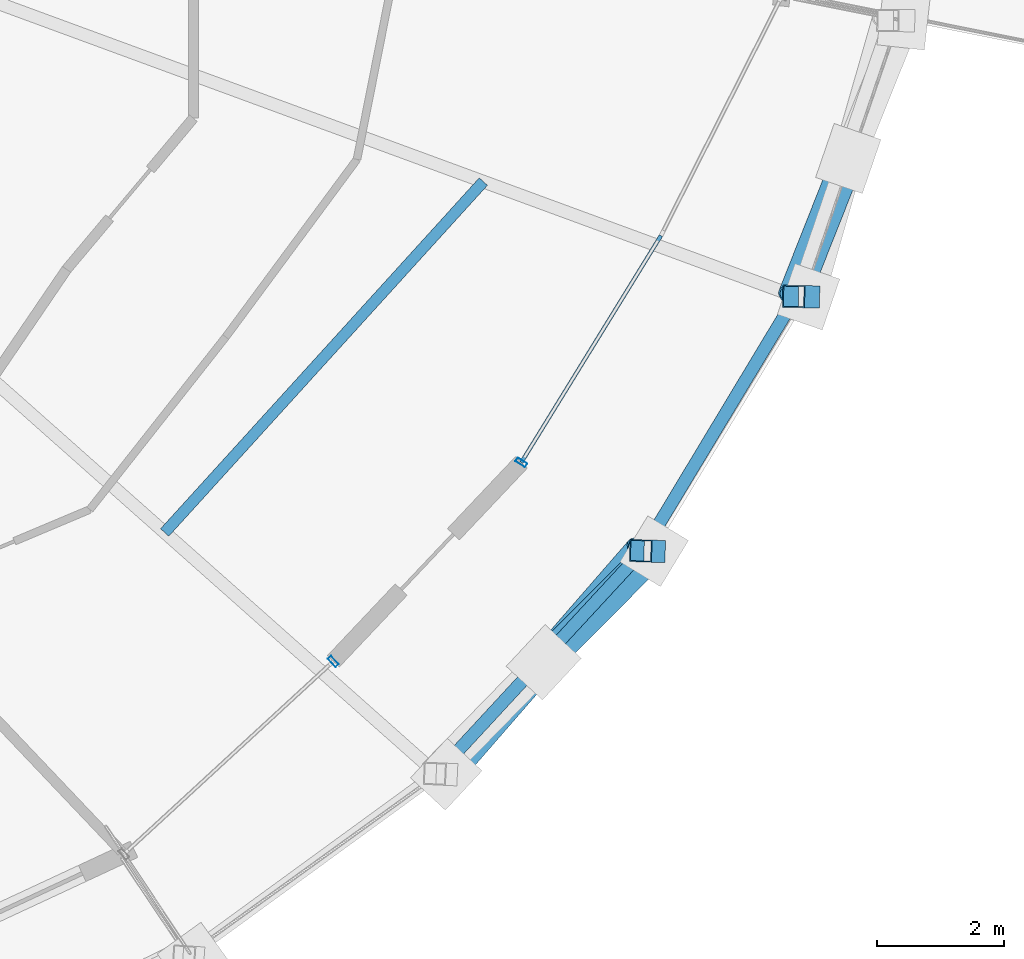
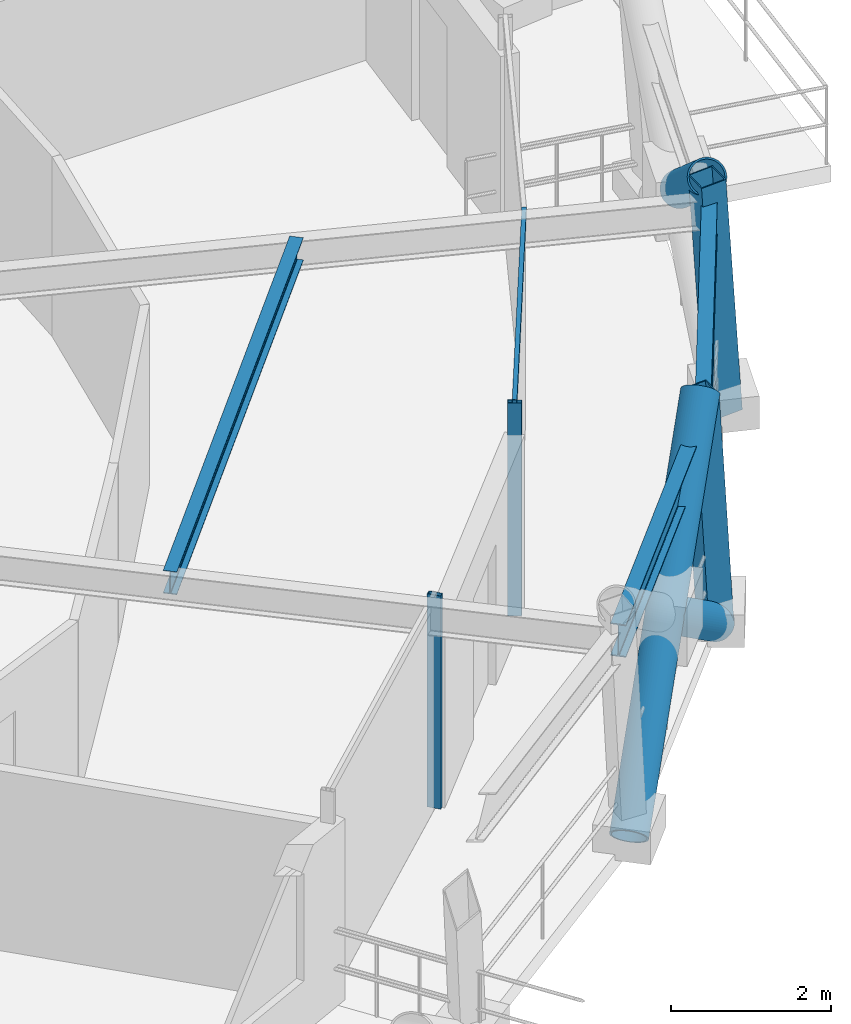
# One storey, part 4 of 14: 8 members, 3 beams, 2 elements without a shape of their own.
"""IFC4 building model written with IfcOpenShell, lengths in metres."""

import ifcopenshell
import ifcopenshell.guid

model = None  # the IFC model being written
_history = None  # IfcOwnerHistory: only IFC2X3 demands one
_inside = {}  # id of a spatial element -> (the spatial element, [elements in it])
_under = {}  # id of a project, library or spatial element -> (it, [spatial elements below it])
_declared = {}  # id of a project -> (the project, [libraries it declares])
_typed = {}  # id of a type object -> (the type object, [elements of that type])
_made_of = {}  # id of a material, layer set ... -> (it, [elements and type objects made of it])


def new_model(schema):
    """Start an empty IFC model of exactly this schema.

    Asked for "IFC4X3", IfcOpenShell would pick the latest addendum, in which some entities
    have other attributes; the version numbers below select the first issue.
    IFC2X3 requires an IfcOwnerHistory on every rooted entity: one is made here for all.
    """
    global model, _history
    if schema == "IFC4X3":
        model = ifcopenshell.file(schema_version=(4, 3, 0, 0))
    else:
        model = ifcopenshell.file(schema=schema)
    _inside.clear()
    _under.clear()
    _declared.clear()
    _typed.clear()
    _made_of.clear()
    _history = None
    if model.schema == "IFC2X3":
        org = make("IfcOrganization", Name="unknown")
        user = make(
            "IfcPersonAndOrganization",
            ThePerson=make("IfcPerson", FamilyName="unknown"),
            TheOrganization=org,
        )
        app = make(
            "IfcApplication",
            ApplicationDeveloper=org,
            Version="unknown",
            ApplicationFullName="unknown",
            ApplicationIdentifier="unknown",
        )
        _history = make(
            "IfcOwnerHistory",
            OwningUser=user,
            OwningApplication=app,
            ChangeAction="ADDED",
            CreationDate=0,
        )
    return model


def make(cls, **values):
    """One entity of the class cls with the attributes given. An attribute that is None is left unset."""
    return model.create_entity(
        cls, **{name: value for name, value in values.items() if value is not None}
    )


def rooted(cls, **values):
    """An entity with a GlobalId (a new one), such as an element, a storey or a relation."""
    return make(cls, GlobalId=ifcopenshell.guid.new(), OwnerHistory=_history, **values)


def si_unit(unit_type, name, prefix=None):
    """IfcSIUnit, for example si_unit("LENGTHUNIT", "METRE", prefix="MILLI")."""
    return make("IfcSIUnit", UnitType=unit_type, Prefix=prefix, Name=name)


def assignment(units):
    """IfcUnitAssignment: the units of a project."""
    return None if units is None else make("IfcUnitAssignment", Units=units)


def point(xyz):
    """IfcCartesianPoint."""
    return None if xyz is None else make("IfcCartesianPoint", Coordinates=xyz)


def direction(xyz):
    """IfcDirection."""
    return None if xyz is None else make("IfcDirection", DirectionRatios=xyz)


def frame(location, z_axis=None, x_axis=None):
    """IfcAxis2Placement3D, a coordinate frame: its origin and axes. An axis left out is left unset."""
    return make(
        "IfcAxis2Placement3D",
        Location=point(location),
        Axis=direction(z_axis),
        RefDirection=direction(x_axis),
    )


def frame_2d(location, x_axis=None):
    """IfcAxis2Placement2D, a coordinate frame in the plane: its origin and x axis."""
    return make(
        "IfcAxis2Placement2D", Location=point(location), RefDirection=direction(x_axis)
    )


def origin():
    """The frame at (0, 0, 0) with its axes left unset."""
    return frame((0.0, 0.0, 0.0))


def origin_2d():
    """The frame at (0, 0) in the plane with its x axis left unset."""
    return frame_2d((0.0, 0.0))


def place(relative_to, where):
    """IfcLocalPlacement: puts the frame where relative to a parent placement (None: the world)."""
    return make(
        "IfcLocalPlacement", PlacementRelTo=relative_to, RelativePlacement=where
    )


def context(
    kind, dimensions, precision=None, world=None, true_north=None, identifier=None
):
    """IfcGeometricRepresentationContext, for example the 3D "Model" context."""
    return make(
        "IfcGeometricRepresentationContext",
        ContextIdentifier=identifier,
        ContextType=kind,
        CoordinateSpaceDimension=dimensions,
        Precision=precision,
        WorldCoordinateSystem=world,
        TrueNorth=true_north,
    )


def subcontext(parent, identifier, kind, view, scale=None):
    """IfcGeometricRepresentationSubContext, for example "Body" below "Model"."""
    return make(
        "IfcGeometricRepresentationSubContext",
        ContextIdentifier=identifier,
        ContextType=kind,
        ParentContext=parent,
        TargetScale=scale,
        TargetView=view,
    )


def project(units=None, contexts=None):
    """IfcProject with its units and contexts."""
    return rooted(
        "IfcProject",
        Name="project",
        RepresentationContexts=contexts,
        UnitsInContext=assignment(units),
    )


def spatial(cls, under=None, at=None, **own):
    """A site, building, storey or space (cls), placed at a placement, below another one or the project."""
    s = rooted(cls, ObjectPlacement=at, **own)
    if under is not None:
        _under.setdefault(under.id(), (under, []))[1].append(s)
    return s


def profile(cls, at=None, kind="AREA", **sizes):
    """A parametric profile (cls). Its sizes go by their IFC names, for example OverallWidth=200.0."""
    return make(cls, ProfileType=kind, Position=at, **sizes)


def hollow_rectangle(**sizes):
    """IfcRectangleHollowProfileDef."""
    return profile("IfcRectangleHollowProfileDef", **sizes)


def hollow_circle(**sizes):
    """IfcCircleHollowProfileDef."""
    return profile("IfcCircleHollowProfileDef", **sizes)


def i_section(**sizes):
    """IfcIShapeProfileDef."""
    return profile("IfcIShapeProfileDef", **sizes)


def extrude(swept, where, along, depth):
    """IfcExtrudedAreaSolid: the profile swept, set in the frame where, extruded along a direction by depth."""
    return make(
        "IfcExtrudedAreaSolid",
        SweptArea=swept,
        Position=where,
        ExtrudedDirection=direction(along),
        Depth=depth,
    )


def shape(context_of_items, identifier, shape_type, items):
    """IfcShapeRepresentation: the items that make up one representation, for example the "Body"."""
    return make(
        "IfcShapeRepresentation",
        ContextOfItems=context_of_items,
        RepresentationIdentifier=identifier,
        RepresentationType=shape_type,
        Items=items,
    )


def material(Name=None, Category=None):
    """IfcMaterial."""
    return make("IfcMaterial", Name=Name, Category=Category)


def layer(
    of_material, thickness, ventilated=None, Name=None, Category=None, Priority=None
):
    """IfcMaterialLayer: one layer of a wall or slab, of a material (None: an air gap)."""
    return make(
        "IfcMaterialLayer",
        Material=of_material,
        LayerThickness=thickness,
        IsVentilated=ventilated,
        Name=Name,
        Category=Category,
        Priority=Priority,
    )


def layer_set(layers, Name=None):
    """IfcMaterialLayerSet."""
    return make("IfcMaterialLayerSet", MaterialLayers=layers, LayerSetName=Name)


def material_profile(
    of_material, cross_section, Name=None, Category=None, Priority=None
):
    """IfcMaterialProfile: a cross section and its material."""
    return make(
        "IfcMaterialProfile",
        Name=Name,
        Material=of_material,
        Profile=cross_section,
        Priority=Priority,
        Category=Category,
    )


def profile_set(profiles, Name=None, composite=None):
    """IfcMaterialProfileSet."""
    return make(
        "IfcMaterialProfileSet",
        Name=Name,
        MaterialProfiles=profiles,
        CompositeProfile=composite,
    )


def made_of(thing, what):
    """Note that an element or type object is made of a material, layer set ...; save() writes the relation."""
    if what is not None:
        _made_of.setdefault(what.id(), (what, []))[1].append(thing)
    return thing


def type_object(cls, material=None, **own):
    """A type object (cls), such as IfcWallType, which elements share."""
    return made_of(rooted(cls, **own), material)


def element(
    cls,
    number,
    at=None,
    inside=None,
    cuts=None,
    type_object=None,
    material=None,
    context=None,
    identifier="Body",
    shape_type=None,
    held_by="IfcProductDefinitionShape",
    body=None,
    shapes=None,
    **own,
):
    """One element of the class cls, such as IfcWall. Its Tag is "e" and its number.

    at: its placement. inside: the storey or other place that contains it. cuts: it is an
    opening in that element (IfcRelVoidsElement). A single representation is given by context,
    identifier, shape_type and body (its items); several are given by shapes. held_by: the class
    of the entity that holds the representations. save() writes the other relations.
    """
    e = rooted(cls, Tag="e%d" % number, ObjectPlacement=at, **own)
    if body is not None:
        shapes = [shape(context, identifier, shape_type, body)]
    if shapes is not None:
        e.Representation = make(held_by, Representations=shapes)
    if inside is not None:
        _inside.setdefault(inside.id(), (inside, []))[1].append(e)
    if cuts is not None:
        rooted(
            "IfcRelVoidsElement", RelatingBuildingElement=cuts, RelatedOpeningElement=e
        )
    if type_object is not None:
        _typed.setdefault(type_object.id(), (type_object, []))[1].append(e)
    return made_of(e, material)


def aggregate(whole, parts):
    """IfcRelAggregates: a whole, such as a stair, and the parts it consists of."""
    return rooted("IfcRelAggregates", RelatingObject=whole, RelatedObjects=parts)


def save(model, path):
    """Write the relations noted so far, then the file.

    IfcRelAggregates (storeys below a building ...), IfcRelContainedInSpatialStructure (elements
    in a storey), IfcRelDefinesByType, IfcRelAssociatesMaterial and IfcRelDeclares: one each for
    every whole, place, type object, material and project.
    """
    for whole, parts in _under.values():
        aggregate(whole, parts)
    for where, things in _inside.values():
        rooted(
            "IfcRelContainedInSpatialStructure",
            RelatedElements=things,
            RelatingStructure=where,
        )
    for kind, things in _typed.values():
        rooted("IfcRelDefinesByType", RelatedObjects=things, RelatingType=kind)
    for what, things in _made_of.values():
        rooted("IfcRelAssociatesMaterial", RelatedObjects=things, RelatingMaterial=what)
    for by, libraries in _declared.values():
        rooted("IfcRelDeclares", RelatingContext=by, RelatedDefinitions=libraries)
    model.write(path)


model = new_model("IFC4")

# Units and contexts
model_context = context("Model", 3, precision=1e-05, world=origin(), true_north=direction((0.0, 1.0)))
body_context = subcontext(model_context, "Body", "Model", "MODEL_VIEW")
ifc_project = project(units=[si_unit("LENGTHUNIT", "METRE"), si_unit("AREAUNIT", "SQUARE_METRE"), si_unit("VOLUMEUNIT", "CUBIC_METRE"), si_unit("PLANEANGLEUNIT", "RADIAN"), si_unit("MASSUNIT", "GRAM", prefix="KILO")], contexts=[model_context])

# Site, building, storey
site_placement = place(None, origin())
site = spatial("IfcSite", under=ifc_project, at=site_placement, CompositionType="ELEMENT")
building_placement = place(site_placement, origin())
building = spatial("IfcBuilding", under=site, at=building_placement, Name="Veldorina Hangang Commons", CompositionType="ELEMENT")
storey_placement = place(building_placement, frame((0.0, 0.0, 200.0)))
storey = spatial("IfcBuildingStorey", under=building, at=storey_placement, Name="L52", CompositionType="ELEMENT", Elevation=200.0)

# Beams
ifc_material_1 = material(Name="Steel SM355-TMC", Category="steel")
ifc_material_profile_1 = material_profile(ifc_material_1, i_section(OverallWidth=0.175048828125, OverallDepth=0.35009765625, WebThickness=0.007080078125, FlangeThickness=0.010986328125, FilletRadius=0.012939453125, at=origin_2d()), Name="H-350x175x7x11")
ifc_profile_set_1 = profile_set([ifc_material_profile_1], Name="Steel SM355-TMC")
beam_type_1 = type_object("IfcBeamType", Name="BM-JST350", PredefinedType="JOIST", material=ifc_profile_set_1)
beam_1_placement = place(storey_placement, frame((46.197998046875, 11.3984375, 3.125), z_axis=(0.672328130477, 0.740253257318, 0.0), x_axis=(-0.740253257318, 0.672328130477, 0.0)))
element("IfcBeam", 1, at=beam_1_placement, inside=storey, type_object=beam_type_1, Name="L52 secondary floor joist 15", PredefinedType="JOIST", context=body_context, shape_type="SweptSolid", body=[
    extrude(i_section(OverallWidth=0.175048828125, OverallDepth=0.35009765625, WebThickness=0.007080078125, FlangeThickness=0.010986328125, FilletRadius=0.012939453125, at=origin_2d()), origin(), (0.0, 0.0, 1.0), 7.47607421875),
])
ifc_material_2 = material(Name="Steel SM420-TMC", Category="steel")
ifc_material_profile_2 = material_profile(ifc_material_2, i_section(OverallWidth=0.199951171875, OverallDepth=0.5, WebThickness=0.010009765625, FlangeThickness=0.01611328125, FilletRadius=0.01611328125, at=origin_2d()), Name="H-500x200x10x16")
ifc_profile_set_2 = profile_set([ifc_material_profile_2], Name="Steel SM420-TMC")
beam_type_2 = type_object("IfcBeamType", Name="BM-RB500", PredefinedType="BEAM", material=ifc_profile_set_2)
beam_2_placement = place(storey_placement, frame((50.4873046875, 7.591796875, 3.050048828125), z_axis=(0.678910794027, 0.734220766359, 0.0), x_axis=(-0.734220766359, 0.678910794027, 0.0)))
element("IfcBeam", 2, at=beam_2_placement, inside=storey, type_object=beam_type_2, Name="L52 perimeter hoop ring beam 28", PredefinedType="BEAM", context=body_context, shape_type="SweptSolid", body=[
    extrude(i_section(OverallWidth=0.199951171875, OverallDepth=0.5, WebThickness=0.010009765625, FlangeThickness=0.01611328125, FilletRadius=0.01611328125, at=origin_2d()), origin(), (0.0, 0.0, 1.0), 4.789306640625),
])
beam_3_placement = place(storey_placement, frame((53.73876953125, 11.108154296875, 3.050048828125), z_axis=(0.51590571016, 0.856645374834, 0.0), x_axis=(-0.856645374834, 0.51590571016, 0.0)))
element("IfcBeam", 3, at=beam_3_placement, inside=storey, type_object=beam_type_2, Name="L52 perimeter hoop ring beam 29", PredefinedType="BEAM", context=body_context, shape_type="SweptSolid", body=[
    extrude(i_section(OverallWidth=0.199951171875, OverallDepth=0.5, WebThickness=0.010009765625, FlangeThickness=0.01611328125, FilletRadius=0.01611328125, at=origin_2d()), origin(), (0.0, 0.0, 1.0), 4.68310546875),
])

# Curtain wall, member
ifc_material_3 = material(Name="Glass Low-E Triple IGU", Category="glass")
ifc_layer = layer(ifc_material_3, 0.179931640625)
ifc_layer_set = layer_set([ifc_layer], Name="Glass Low-E Triple IGU")
curtain_wall_type = type_object("IfcCurtainWallType", Name="CW-SYS-Z2", PredefinedType="NOTDEFINED", material=ifc_layer_set)
curtain_wall_1_placement = place(storey_placement, origin())
curtain_wall_1 = element("IfcCurtainWall", 4, at=curtain_wall_1_placement, inside=storey, type_object=curtain_wall_type, Name="L52 unitised curtain wall CW-L52-R1", PredefinedType="NOTDEFINED")
ifc_material_4 = material(Name="Aluminium Anodized AA6063-T6", Category="aluminium")
ifc_material_profile_3 = material_profile(ifc_material_4, hollow_rectangle(XDim=0.070068359375, YDim=0.179931640625, WallThickness=0.00390625, at=origin_2d()), Name="ALU-RHS-180x70x4")
ifc_profile_set_3 = profile_set([ifc_material_profile_3], Name="Aluminium Anodized AA6063-T6")
member_type_1 = type_object("IfcMemberType", Name="CW-MUL-180", PredefinedType="MULLION", material=ifc_profile_set_3)
member_1_placement = place(storey_placement, frame((48.85791015625, 9.3662109375, 0.0), z_axis=(0.0, 0.0, 1.0), x_axis=(-0.735718933477, -0.677286978262, 0.0)))
member_1 = element("IfcMember", 5, at=member_1_placement, type_object=member_type_1, Name="CW-L52-R1 vertical mullion 2", PredefinedType="MULLION", context=body_context, shape_type="SweptSolid", body=[
    extrude(hollow_rectangle(XDim=0.070068359375, YDim=0.179931640625, WallThickness=0.00390625, at=origin_2d()), origin(), (0.0, 0.0, 1.0), 3.260009765625),
])
aggregate(curtain_wall_1, [member_1])

# Curtain wall, members
curtain_wall_2_placement = place(storey_placement, origin())
curtain_wall_2 = element("IfcCurtainWall", 6, at=curtain_wall_2_placement, inside=storey, type_object=curtain_wall_type, Name="L52 unitised curtain wall CW-L52-R2", PredefinedType="NOTDEFINED")
member_2_placement = place(storey_placement, frame((51.82275390625, 12.50244140625, 0.0), z_axis=(0.0, 0.0, 1.0), x_axis=(0.524312907, 0.851525675216, 0.0)))
member_2 = element("IfcMember", 7, at=member_2_placement, type_object=member_type_1, Name="CW-L52-R2 vertical mullion 1", PredefinedType="MULLION", context=body_context, shape_type="SweptSolid", body=[
    extrude(hollow_rectangle(XDim=0.070068359375, YDim=0.179931640625, WallThickness=0.00390625, at=origin_2d()), origin(), (0.0, 0.0, 1.0), 3.260009765625),
])
ifc_material_profile_4 = material_profile(ifc_material_4, hollow_rectangle(XDim=0.06005859375, YDim=0.139892578125, WallThickness=0.00341796875, at=origin_2d()), Name="ALU-RHS-140x60x3.5")
ifc_profile_set_4 = profile_set([ifc_material_profile_4], Name="Aluminium Anodized AA6063-T6")
member_type_2 = type_object("IfcMemberType", Name="CW-TRN-140", PredefinedType="USERDEFINED", material=ifc_profile_set_4)
member_3_placement = place(storey_placement, frame((51.82275390625, 12.50244140625, 3.219970703125), z_axis=(0.524288687782, 0.851540587326, 0.0), x_axis=(-0.851540587326, 0.524288687782, 0.0)))
member_3 = element("IfcMember", 8, at=member_3_placement, type_object=member_type_2, Name="CW-L52-R2 facet 1 transom 1", ObjectType="TRANSOM", PredefinedType="USERDEFINED", context=body_context, shape_type="SweptSolid", body=[
    extrude(hollow_rectangle(XDim=0.06005859375, YDim=0.139892578125, WallThickness=0.00341796875, at=origin_2d()), origin(), (0.0, 0.0, 1.0), 4.20166015625),
])
aggregate(curtain_wall_2, [member_2, member_3])

# Members
ifc_material_profile_5 = material_profile(ifc_material_2, hollow_circle(Radius=0.25, WallThickness=0.02490234375, at=origin_2d()), Name="CHS-500x25")
ifc_profile_set_5 = profile_set([ifc_material_profile_5], Name="Steel SM420-TMC")
member_type_3 = type_object("IfcMemberType", Name="DG-CHS500", PredefinedType="BRACE", material=ifc_profile_set_5)
member_4_placement = place(storey_placement, frame((50.6396484375, 7.58447265625, 0.0), z_axis=(0.519933611983, 0.597586303336, 0.610376645355), x_axis=(-0.754422118029, 0.656389570171, 0.0)))
element("IfcMember", 9, at=member_4_placement, inside=storey, type_object=member_type_3, Name="L52 continuous perimeter diagrid brace 28", PredefinedType="BRACE", context=body_context, shape_type="SweptSolid", body=[
    extrude(hollow_circle(Radius=0.25, WallThickness=0.02490234375, at=origin_2d()), origin(), (0.0, 0.0, 1.0), 5.898193359375),
])
member_5_placement = place(storey_placement, frame((53.91796875, 11.102294921875, 0.0), z_axis=(-0.569323491408, -0.572596383043, 0.589918760727), x_axis=(0.709130529014, -0.705077224721, 0.0)))
element("IfcMember", 10, at=member_5_placement, inside=storey, type_object=member_type_3, Name="L52 split perimeter diagrid lower brace 29", PredefinedType="BRACE", context=body_context, shape_type="SweptSolid", body=[
    extrude(hollow_circle(Radius=0.25, WallThickness=0.02490234375, at=origin_2d()), origin(), (0.0, 0.0, 1.0), 3.058349609375),
])
member_6_placement = place(storey_placement, frame((56.979736328125, 17.296142578125, 1.80126953125), z_axis=(-0.291687977137, -0.73716153269, 0.609517020858), x_axis=(0.929851986955, -0.367933801594, 0.0)))
element("IfcMember", 11, at=member_6_placement, inside=storey, type_object=member_type_3, Name="L52 split perimeter diagrid upper brace 31", PredefinedType="BRACE", context=body_context, shape_type="SweptSolid", body=[
    extrude(hollow_circle(Radius=0.25, WallThickness=0.02490234375, at=origin_2d()), origin(), (0.0, 0.0, 1.0), 2.951171875),
])
ifc_material_profile_6 = material_profile(ifc_material_1, hollow_rectangle(XDim=0.35009765625, YDim=0.35009765625, WallThickness=0.01611328125, at=origin_2d()), Name="SHS-350x350x16")
ifc_profile_set_6 = profile_set([ifc_material_profile_6], Name="Steel SM355-TMC")
member_type_4 = type_object("IfcMemberType", Name="STR-SHS350", PredefinedType="STRUT", material=ifc_profile_set_6)
member_7_placement = place(storey_placement, frame((53.91796875, 11.102294921875, 0.0), z_axis=(-0.058694136922, 0.001895543061, 0.998274213434), x_axis=(-0.032278442478, -0.999478915311, 0.0)))
element("IfcMember", 12, at=member_7_placement, inside=storey, type_object=member_type_4, Name="L52 perimeter ring node post 29", PredefinedType="STRUT", context=body_context, shape_type="SweptSolid", body=[
    extrude(hollow_rectangle(XDim=0.35009765625, YDim=0.35009765625, WallThickness=0.01611328125, at=origin_2d()), origin(), (0.0, 0.0, 1.0), 3.606201171875),
])
member_8_placement = place(storey_placement, frame((56.35400390625, 15.115966796875, 0.0), z_axis=(-0.065166975722, 0.001285745108, 0.997873545162), x_axis=(-0.019726171322, -0.999805420152, 0.0)))
element("IfcMember", 13, at=member_8_placement, inside=storey, type_object=member_type_4, Name="L52 perimeter ring node post 30", PredefinedType="STRUT", context=body_context, shape_type="SweptSolid", body=[
    extrude(hollow_rectangle(XDim=0.35009765625, YDim=0.35009765625, WallThickness=0.01611328125, at=origin_2d()), origin(), (0.0, 0.0, 1.0), 3.607666015625),
])

save(model, "model.ifc")
